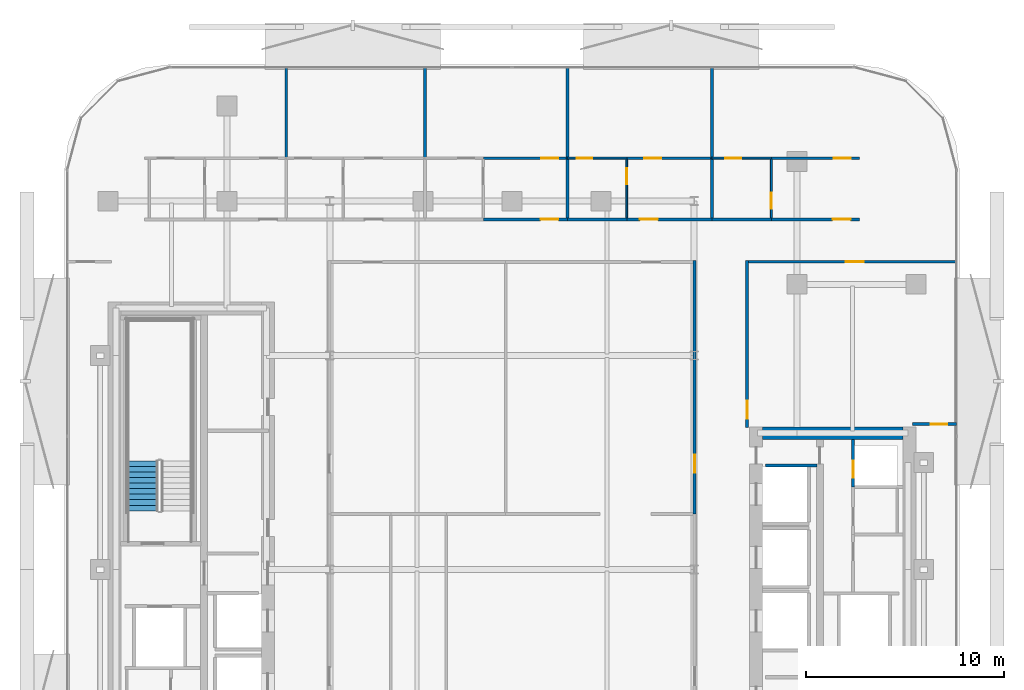
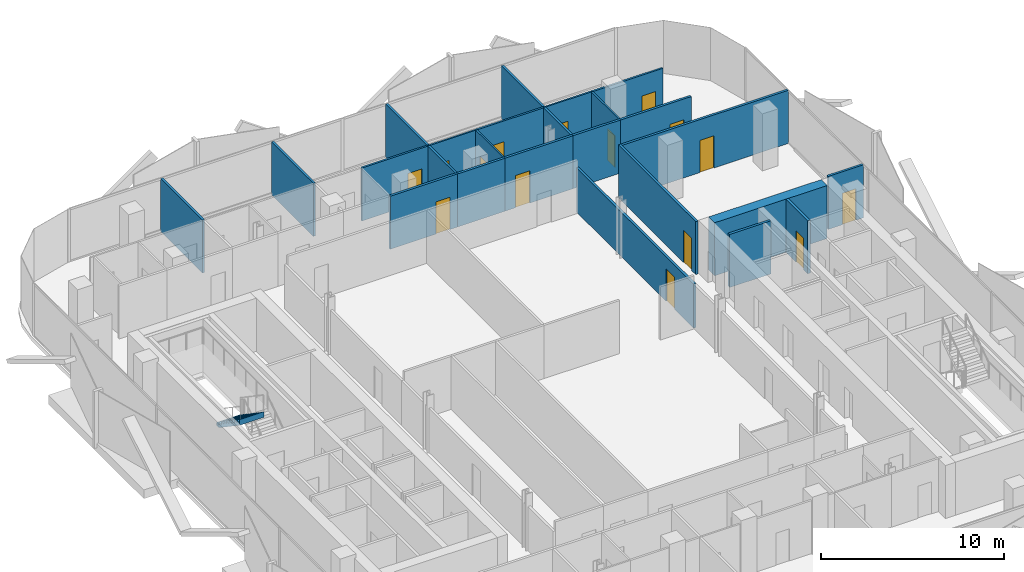
# One storey, part 7 of 17: 25 walls, 15 doors, 1 stair flight, 15 openings, 1 element without a shape of its own.
"""IFC4 building model written with IfcOpenShell, lengths in metres."""

from ifc_helpers import new_model, si_unit, direction, frame, frame_2d, origin, place, context, subcontext, project, spatial, polyline, rectangle, outline, extrude, material, layer, layer_set, type_object, element, fill, aggregate, save


model = new_model("IFC4")

# Units and contexts
model_context = context("Model", 3, precision=1e-05, world=origin(), true_north=direction((0.0, 1.0)))
body_context = subcontext(model_context, "Body", "Model", "MODEL_VIEW")
ifc_project = project(units=[si_unit("LENGTHUNIT", "METRE"), si_unit("AREAUNIT", "SQUARE_METRE"), si_unit("VOLUMEUNIT", "CUBIC_METRE"), si_unit("PLANEANGLEUNIT", "RADIAN"), si_unit("MASSUNIT", "GRAM", prefix="KILO")], contexts=[model_context])

# Site, building, storey
site_placement = place(None, origin())
site = spatial("IfcSite", under=ifc_project, at=site_placement, CompositionType="ELEMENT")
building_placement = place(site_placement, origin())
building = spatial("IfcBuilding", under=site, at=building_placement, Name="Khairoan Windgate Tower", CompositionType="ELEMENT")
storey_placement = place(building_placement, frame((0.0, 0.0, 195.39990234375)))
storey = spatial("IfcBuildingStorey", under=building, at=storey_placement, Name="L45", CompositionType="ELEMENT", Elevation=195.39990234375)

# Wall, opening, door
ifc_material_1 = material(Name="Moisture-Resistant Gypsum Partition", Category="gypsum")
ifc_layer_1 = layer(ifc_material_1, 0.10009765625, Name="Moisture-Resistant Gypsum Partition")
ifc_layer_set_1 = layer_set([ifc_layer_1], Name="Moisture-Resistant Gypsum Partition")
wall_type_1 = type_object("IfcWallType", Name="Bathroom Wet-Area Partition Wall", PredefinedType="PARTITIONING", material=ifc_layer_set_1)
wall_1_placement = place(storey_placement, frame((5.7958984375, 17.7548828125, 0.0), z_axis=(0.0, 0.0, 1.0), x_axis=(0.0, 1.0, 0.0)))
wall_1 = element("IfcWall", 1, at=wall_1_placement, inside=storey, type_object=wall_type_1, Name="L45 Interior Partition 070", PredefinedType="PARTITIONING", context=body_context, shape_type="SweptSolid", body=[
    extrude(rectangle(XDim=2.965087890625, YDim=0.10009765625, at=frame_2d((1.482421875, 0.0))), origin(), (0.0, 0.0, 1.0), 3.5400390625),
])
opening_1_placement = place(wall_1_placement, frame((1.705078125, 0.0, 0.0)))
opening_1 = element("IfcOpeningElement", 2, at=opening_1_placement, cuts=wall_1, Name="Opening ID-BTH", PredefinedType="OPENING", context=body_context, shape_type="SweptSolid", body=[
    extrude(rectangle(XDim=0.800048828125, YDim=2.10009765625, at=frame_2d((0.39990234375, 1.050048828125))), frame((0.0, 0.06005859375, 0.0), z_axis=(0.0, -1.0, 0.0), x_axis=(1.0, 0.0, 0.0)), (0.0, 0.0, 1.0), 0.1201171875),
])
ifc_material_2 = material(Name="Teak Veneer Timber Leaf", Category="wood")
door_type_1 = type_object("IfcDoorType", Name="Internal Bathroom Door ID-BTH 800x2100", OperationType="NOTDEFINED", PredefinedType="DOOR", material=ifc_material_2)
door_1_placement = place(opening_1_placement, origin())
door_1 = element("IfcDoor", 3, at=door_1_placement, inside=storey, type_object=door_type_1, Name="L45 L45-48-L45-49 Door", OperationType="SINGLE_SWING_RIGHT", OverallHeight=2.10009765625, OverallWidth=0.800048828125, PredefinedType="DOOR", context=body_context, shape_type="SweptSolid", body=[
    extrude(rectangle(XDim=0.800048828125, YDim=2.10009765625, at=frame_2d((0.39990234375, 1.050048828125))), frame((0.0, 0.02490234375, 0.0), z_axis=(0.0, -1.0, 0.0), x_axis=(1.0, 0.0, 0.0)), (0.0, 0.0, 1.0), 0.050048828125),
])
fill(opening_1, door_1)

wall_2_placement = place(storey_placement, frame((2.800048828125, 20.77001953125, 0.0), z_axis=(0.0, 0.0, 1.0), x_axis=(1.0, 0.0, 0.0)))
wall_2 = element("IfcWall", 4, at=wall_2_placement, inside=storey, type_object=wall_type_1, Name="L45 Interior Partition 071", PredefinedType="PARTITIONING", context=body_context, shape_type="SweptSolid", body=[
    extrude(rectangle(XDim=2.995849609375, YDim=0.10009765625, at=frame_2d((1.498046875, 0.0))), origin(), (0.0, 0.0, 1.0), 3.5400390625),
])
opening_2_placement = place(wall_2_placement, frame((0.4599609375, 0.0, 0.0)))
opening_2 = element("IfcOpeningElement", 5, at=opening_2_placement, cuts=wall_2, Name="Opening ID-BTH", PredefinedType="OPENING", context=body_context, shape_type="SweptSolid", body=[
    extrude(rectangle(XDim=0.800048828125, YDim=2.10009765625, at=frame_2d((0.39990234375, 1.050048828125))), frame((0.0, 0.06005859375, 0.0), z_axis=(0.0, -1.0, 0.0), x_axis=(1.0, 0.0, 0.0)), (0.0, 0.0, 1.0), 0.1201171875),
])
door_2_placement = place(opening_2_placement, origin())
door_2 = element("IfcDoor", 6, at=door_2_placement, inside=storey, type_object=door_type_1, Name="L45 L45-48-L45-50 Door", OperationType="SINGLE_SWING_LEFT", OverallHeight=2.10009765625, OverallWidth=0.800048828125, PredefinedType="DOOR", context=body_context, shape_type="SweptSolid", body=[
    extrude(rectangle(XDim=0.800048828125, YDim=2.10009765625, at=frame_2d((0.39990234375, 1.050048828125))), frame((0.0, 0.02490234375, 0.0), z_axis=(0.0, -1.0, 0.0), x_axis=(1.0, 0.0, 0.0)), (0.0, 0.0, 1.0), 0.050048828125),
])
fill(opening_2, door_2)

wall_3_placement = place(storey_placement, frame((13.095947265625, 17.7548828125, 0.0), z_axis=(0.0, 0.0, 1.0), x_axis=(0.0, 1.0, 0.0)))
wall_3 = element("IfcWall", 7, at=wall_3_placement, inside=storey, type_object=wall_type_1, Name="L45 Interior Partition 075", PredefinedType="PARTITIONING", context=body_context, shape_type="SweptSolid", body=[
    extrude(rectangle(XDim=2.965087890625, YDim=0.10009765625, at=frame_2d((1.482421875, 0.0))), origin(), (0.0, 0.0, 1.0), 3.5400390625),
])
opening_3_placement = place(wall_3_placement, frame((0.4599609375, 0.0, 0.0)))
opening_3 = element("IfcOpeningElement", 8, at=opening_3_placement, cuts=wall_3, Name="Opening ID-BTH", PredefinedType="OPENING", context=body_context, shape_type="SweptSolid", body=[
    extrude(rectangle(XDim=0.800048828125, YDim=2.10009765625, at=frame_2d((0.39990234375, 1.050048828125))), frame((0.0, 0.06005859375, 0.0), z_axis=(0.0, -1.0, 0.0), x_axis=(1.0, 0.0, 0.0)), (0.0, 0.0, 1.0), 0.1201171875),
])
door_3_placement = place(opening_3_placement, origin())
door_3 = element("IfcDoor", 9, at=door_3_placement, inside=storey, type_object=door_type_1, Name="L45 L45-51-L45-52 Door", OperationType="SINGLE_SWING_LEFT", OverallHeight=2.10009765625, OverallWidth=0.800048828125, PredefinedType="DOOR", context=body_context, shape_type="SweptSolid", body=[
    extrude(rectangle(XDim=0.800048828125, YDim=2.10009765625, at=frame_2d((0.39990234375, 1.050048828125))), frame((0.0, 0.02490234375, 0.0), z_axis=(0.0, -1.0, 0.0), x_axis=(1.0, 0.0, 0.0)), (0.0, 0.0, 1.0), 0.050048828125),
])
fill(opening_3, door_3)

wall_4_placement = place(storey_placement, frame((10.10009765625, 20.77001953125, 0.0), z_axis=(0.0, 0.0, 1.0), x_axis=(1.0, 0.0, 0.0)))
wall_4 = element("IfcWall", 10, at=wall_4_placement, inside=storey, type_object=wall_type_1, Name="L45 Interior Partition 076", PredefinedType="PARTITIONING", context=body_context, shape_type="SweptSolid", body=[
    extrude(rectangle(XDim=2.995849609375, YDim=0.10009765625, at=frame_2d((1.498046875, 0.0))), origin(), (0.0, 0.0, 1.0), 3.5400390625),
])
opening_4_placement = place(wall_4_placement, frame((0.672607421875, 0.0, 0.0)))
opening_4 = element("IfcOpeningElement", 11, at=opening_4_placement, cuts=wall_4, Name="Opening ID-BTH", PredefinedType="OPENING", context=body_context, shape_type="SweptSolid", body=[
    extrude(rectangle(XDim=0.800048828125, YDim=2.10009765625, at=frame_2d((0.39990234375, 1.050048828125))), frame((0.0, 0.06005859375, 0.0), z_axis=(0.0, -1.0, 0.0), x_axis=(1.0, 0.0, 0.0)), (0.0, 0.0, 1.0), 0.1201171875),
])
door_4_placement = place(opening_4_placement, origin())
door_4 = element("IfcDoor", 12, at=door_4_placement, inside=storey, type_object=door_type_1, Name="L45 L45-51-L45-53 Door", OperationType="SINGLE_SWING_RIGHT", OverallHeight=2.10009765625, OverallWidth=0.800048828125, PredefinedType="DOOR", context=body_context, shape_type="SweptSolid", body=[
    extrude(rectangle(XDim=0.800048828125, YDim=2.10009765625, at=frame_2d((0.39990234375, 1.050048828125))), frame((0.0, 0.02490234375, 0.0), z_axis=(0.0, -1.0, 0.0), x_axis=(1.0, 0.0, 0.0)), (0.0, 0.0, 1.0), 0.050048828125),
])
fill(opening_4, door_4)

# Walls
ifc_material_3 = material(Name="Concrete C40/50", Category="concrete")
ifc_layer_2 = layer(ifc_material_3, 0.159912109375, Name="Concrete C40/50")
ifc_layer_set_2 = layer_set([ifc_layer_2], Name="Concrete C40/50")
wall_type_2 = type_object("IfcWallType", Name="Core and Hoistway Enclosure Wall", PredefinedType="STANDARD", material=ifc_layer_set_2)
wall_5_placement = place(storey_placement, frame((12.800048828125, 5.25, 0.0), z_axis=(0.0, 0.0, 1.0), x_axis=(1.0, 0.0, 0.0)))
element("IfcWall", 13, at=wall_5_placement, inside=storey, type_object=wall_type_2, Name="L45 Core Shaft Wall SW-ESV-L45", PredefinedType="STANDARD", context=body_context, shape_type="SweptSolid", body=[
    extrude(rectangle(XDim=2.599853515625, YDim=0.159912109375, at=frame_2d((1.2998046875, 0.0))), origin(), (0.0, 0.0, 1.0), 3.5400390625),
])
ifc_material_4 = material(Name="Acoustic Fire-Rated Gypsum Partition", Category="gypsum")
ifc_layer_3 = layer(ifc_material_4, 0.139892578125, Name="Acoustic Fire-Rated Gypsum Partition")
ifc_layer_set_3 = layer_set([ifc_layer_3], Name="Acoustic Fire-Rated Gypsum Partition")
wall_type_3 = type_object("IfcWallType", Name="Inter-Tenancy Compartment Wall", PredefinedType="PARTITIONING", material=ifc_layer_set_3)
for number, where, z_axis, x_axis, name in (
    (14, (-11.39990234375, 20.77001953125, 0.0), (0.0, 0.0, 1.0), (0.0, 1.0, 0.0), "L45 Interior Partition 059"),
    (15, (-4.39990234375, 20.77001953125, 0.0), (0.0, 0.0, 1.0), (0.0, 1.0, 0.0), "L45 Interior Partition 064"),
):
    element("IfcWall", number, at=place(storey_placement, frame(where, z_axis=z_axis, x_axis=x_axis)), inside=storey, type_object=wall_type_3, Name=name, PredefinedType="PARTITIONING", context=body_context, shape_type="SweptSolid", body=[
        extrude(rectangle(XDim=4.5849609375, YDim=0.139892578125, at=frame_2d((2.29248046875, 0.0))), origin(), (0.0, 0.0, 1.0), 3.5400390625),
    ])
wall_6_placement = place(storey_placement, frame((2.800048828125, 17.7548828125, 0.0), z_axis=(0.0, 0.0, 1.0), x_axis=(0.0, 1.0, 0.0)))
element("IfcWall", 16, at=wall_6_placement, inside=storey, type_object=wall_type_3, Name="L45 Interior Partition 068", PredefinedType="PARTITIONING", context=body_context, shape_type="SweptSolid", body=[
    extrude(rectangle(XDim=3.01513671875, YDim=0.139892578125, at=frame_2d((1.507568359375, 0.0))), origin(), (0.0, 0.0, 1.0), 3.5400390625),
])
wall_7_placement = place(storey_placement, frame((2.800048828125, 20.77001953125, 0.0), z_axis=(0.0, 0.0, 1.0), x_axis=(0.0, 1.0, 0.0)))
element("IfcWall", 17, at=wall_7_placement, inside=storey, type_object=wall_type_3, Name="L45 Interior Partition 069", PredefinedType="PARTITIONING", context=body_context, shape_type="SweptSolid", body=[
    extrude(rectangle(XDim=4.5849609375, YDim=0.139892578125, at=frame_2d((2.29248046875, 0.0))), origin(), (0.0, 0.0, 1.0), 3.5400390625),
])
wall_8_placement = place(storey_placement, frame((10.10009765625, 17.7548828125, 0.0), z_axis=(0.0, 0.0, 1.0), x_axis=(0.0, 1.0, 0.0)))
element("IfcWall", 18, at=wall_8_placement, inside=storey, type_object=wall_type_3, Name="L45 Interior Partition 073", PredefinedType="PARTITIONING", context=body_context, shape_type="SweptSolid", body=[
    extrude(rectangle(XDim=3.01513671875, YDim=0.139892578125, at=frame_2d((1.507568359375, 0.0))), origin(), (0.0, 0.0, 1.0), 3.5400390625),
])
wall_9_placement = place(storey_placement, frame((10.10009765625, 20.77001953125, 0.0), z_axis=(0.0, 0.0, 1.0), x_axis=(0.0, 1.0, 0.0)))
element("IfcWall", 19, at=wall_9_placement, inside=storey, type_object=wall_type_3, Name="L45 Interior Partition 074", PredefinedType="PARTITIONING", context=body_context, shape_type="SweptSolid", body=[
    extrude(rectangle(XDim=4.5849609375, YDim=0.139892578125, at=frame_2d((2.29248046875, 0.0))), origin(), (0.0, 0.0, 1.0), 3.5400390625),
])

# Wall, opening, door
wall_10_placement = place(storey_placement, frame((20.239990234375, 7.340087890625, 0.0), z_axis=(0.0, 0.0, 1.0), x_axis=(1.0, 0.0, 0.0)))
wall_10 = element("IfcWall", 20, at=wall_10_placement, inside=storey, type_object=wall_type_3, Name="L45 Interior Partition 096", PredefinedType="PARTITIONING", context=body_context, shape_type="SweptSolid", body=[
    extrude(rectangle(XDim=2.215087890625, YDim=0.139892578125, at=frame_2d((1.107421875, 0.0))), origin(), (0.0, 0.0, 1.0), 3.5400390625),
])
opening_5_placement = place(wall_10_placement, frame((0.905029296875, 0.0, 0.0)))
opening_5 = element("IfcOpeningElement", 21, at=opening_5_placement, cuts=wall_10, Name="Opening FD-SRV", PredefinedType="OPENING", context=body_context, shape_type="SweptSolid", body=[
    extrude(rectangle(XDim=0.85009765625, YDim=2.10009765625, at=frame_2d((0.425048828125, 1.050048828125))), frame((0.0, 0.079833984375, 0.0), z_axis=(0.0, -1.0, 0.0), x_axis=(1.0, 0.0, 0.0)), (0.0, 0.0, 1.0), 0.159912109375),
])
ifc_material_5 = material(Name="Steel S355", Category="steel")
door_type_2 = type_object("IfcDoorType", Name="Core Service and Riser Fire Door FD-SRV 850x2100", OperationType="NOTDEFINED", PredefinedType="DOOR", material=ifc_material_5)
door_5_placement = place(opening_5_placement, origin())
door_5 = element("IfcDoor", 22, at=door_5_placement, inside=storey, type_object=door_type_2, Name="L45 L45-66-L45-68 Door", OperationType="SINGLE_SWING_RIGHT", OverallHeight=2.10009765625, OverallWidth=0.85009765625, PredefinedType="DOOR", context=body_context, shape_type="SweptSolid", body=[
    extrude(rectangle(XDim=0.85009765625, YDim=2.10009765625, at=frame_2d((0.425048828125, 1.050048828125))), frame((0.0, 0.02490234375, 0.0), z_axis=(0.0, -1.0, 0.0), x_axis=(1.0, 0.0, 0.0)), (0.0, 0.0, 1.0), 0.050048828125),
])
fill(opening_5, door_5)

ifc_material_6 = material(Name="Gypsum Stud Partition", Category="gypsum")
ifc_layer_4 = layer(ifc_material_6, 0.1201171875, Name="Gypsum Stud Partition")
ifc_layer_set_4 = layer_set([ifc_layer_4], Name="Gypsum Stud Partition")
wall_type_4 = type_object("IfcWallType", Name="Internal Room Partition Wall", PredefinedType="PARTITIONING", material=ifc_layer_set_4)
wall_11_placement = place(storey_placement, frame((-1.444091796875, 20.77001953125, 0.0), z_axis=(0.0, 0.0, 1.0), x_axis=(1.0, 0.0, 0.0)))
wall_11 = element("IfcWall", 23, at=wall_11_placement, inside=storey, type_object=wall_type_4, Name="L45 Interior Partition 067", PredefinedType="PARTITIONING", context=body_context, shape_type="SweptSolid", body=[
    extrude(rectangle(XDim=4.244140625, YDim=0.1201171875, at=frame_2d((2.1220703125, 0.0))), origin(), (0.0, 0.0, 1.0), 3.5400390625),
])
opening_6_placement = place(wall_11_placement, frame((2.924072265625, 0.0, 0.0)))
opening_6 = element("IfcOpeningElement", 24, at=opening_6_placement, cuts=wall_11, Name="Opening ID-RM", PredefinedType="OPENING", context=body_context, shape_type="SweptSolid", body=[
    extrude(rectangle(XDim=0.860107421875, YDim=2.14990234375, at=frame_2d((0.43017578125, 1.074951171875))), frame((0.0, 0.070068359375, 0.0), z_axis=(0.0, -1.0, 0.0), x_axis=(1.0, 0.0, 0.0)), (0.0, 0.0, 1.0), 0.14013671875),
])
ifc_material_7 = material(Name="Teak Veneer Timber Leaf", Category="wood")
door_type_3 = type_object("IfcDoorType", Name="Internal Bedroom and Office Door ID-RM 860x2150", OperationType="NOTDEFINED", PredefinedType="DOOR", material=ifc_material_7)
door_6_placement = place(opening_6_placement, origin())
door_6 = element("IfcDoor", 25, at=door_6_placement, inside=storey, type_object=door_type_3, Name="L45 L45-46-L45-47 Door", OperationType="SINGLE_SWING_LEFT", OverallHeight=2.14990234375, OverallWidth=0.860107421875, PredefinedType="DOOR", context=body_context, shape_type="SweptSolid", body=[
    extrude(rectangle(XDim=0.860107421875, YDim=2.14990234375, at=frame_2d((0.43017578125, 1.074951171875))), frame((0.0, 0.02490234375, 0.0), z_axis=(0.0, -1.0, 0.0), x_axis=(1.0, 0.0, 0.0)), (0.0, 0.0, 1.0), 0.050048828125),
])
fill(opening_6, door_6)

wall_12_placement = place(storey_placement, frame((5.7958984375, 20.77001953125, 0.0), z_axis=(0.0, 0.0, 1.0), x_axis=(1.0, 0.0, 0.0)))
wall_12 = element("IfcWall", 26, at=wall_12_placement, inside=storey, type_object=wall_type_4, Name="L45 Interior Partition 072", PredefinedType="PARTITIONING", context=body_context, shape_type="SweptSolid", body=[
    extrude(rectangle(XDim=4.30419921875, YDim=0.1201171875, at=frame_2d((2.152099609375, 0.0))), origin(), (0.0, 0.0, 1.0), 3.5400390625),
])
opening_7_placement = place(wall_12_placement, frame((0.880615234375, 0.0, 0.0)))
opening_7 = element("IfcOpeningElement", 27, at=opening_7_placement, cuts=wall_12, Name="Opening ID-RM", PredefinedType="OPENING", context=body_context, shape_type="SweptSolid", body=[
    extrude(rectangle(XDim=0.860107421875, YDim=2.14990234375, at=frame_2d((0.43017578125, 1.074951171875))), frame((0.0, 0.070068359375, 0.0), z_axis=(0.0, -1.0, 0.0), x_axis=(1.0, 0.0, 0.0)), (0.0, 0.0, 1.0), 0.14013671875),
])
door_7_placement = place(opening_7_placement, origin())
door_7 = element("IfcDoor", 28, at=door_7_placement, inside=storey, type_object=door_type_3, Name="L45 L45-49-L45-50 Door", OperationType="SINGLE_SWING_RIGHT", OverallHeight=2.14990234375, OverallWidth=0.860107421875, PredefinedType="DOOR", context=body_context, shape_type="SweptSolid", body=[
    extrude(rectangle(XDim=0.860107421875, YDim=2.14990234375, at=frame_2d((0.43017578125, 1.074951171875))), frame((0.0, 0.02490234375, 0.0), z_axis=(0.0, -1.0, 0.0), x_axis=(1.0, 0.0, 0.0)), (0.0, 0.0, 1.0), 0.050048828125),
])
fill(opening_7, door_7)

wall_13_placement = place(storey_placement, frame((13.095947265625, 20.77001953125, 0.0), z_axis=(0.0, 0.0, 1.0), x_axis=(1.0, 0.0, 0.0)))
wall_13 = element("IfcWall", 29, at=wall_13_placement, inside=storey, type_object=wall_type_4, Name="L45 Interior Partition 077", PredefinedType="PARTITIONING", context=body_context, shape_type="SweptSolid", body=[
    extrude(rectangle(XDim=4.464111328125, YDim=0.1201171875, at=frame_2d((2.23193359375, 0.0))), origin(), (0.0, 0.0, 1.0), 3.5400390625),
])
opening_8_placement = place(wall_13_placement, frame((3.14404296875, 0.0, 0.0)))
opening_8 = element("IfcOpeningElement", 30, at=opening_8_placement, cuts=wall_13, Name="Opening ID-RM", PredefinedType="OPENING", context=body_context, shape_type="SweptSolid", body=[
    extrude(rectangle(XDim=0.860107421875, YDim=2.14990234375, at=frame_2d((0.43017578125, 1.074951171875))), frame((0.0, 0.070068359375, 0.0), z_axis=(0.0, -1.0, 0.0), x_axis=(1.0, 0.0, 0.0)), (0.0, 0.0, 1.0), 0.14013671875),
])
door_8_placement = place(opening_8_placement, origin())
door_8 = element("IfcDoor", 31, at=door_8_placement, inside=storey, type_object=door_type_3, Name="L45 L45-52-L45-53 Door", OperationType="SINGLE_SWING_LEFT", OverallHeight=2.14990234375, OverallWidth=0.860107421875, PredefinedType="DOOR", context=body_context, shape_type="SweptSolid", body=[
    extrude(rectangle(XDim=0.860107421875, YDim=2.14990234375, at=frame_2d((0.43017578125, 1.074951171875))), frame((0.0, 0.02490234375, 0.0), z_axis=(0.0, -1.0, 0.0), x_axis=(1.0, 0.0, 0.0)), (0.0, 0.0, 1.0), 0.050048828125),
])
fill(opening_8, door_8)

ifc_material_8 = material(Name="Concrete C40/50", Category="concrete")
ifc_layer_5 = layer(ifc_material_8, 0.159912109375, Name="Concrete C40/50")
ifc_layer_set_5 = layer_set([ifc_layer_5], Name="Concrete C40/50")
wall_type_5 = type_object("IfcWallType", Name="Plant and Refuge Compartment Wall", PredefinedType="PARTITIONING", material=ifc_layer_set_5)
wall_14_placement = place(storey_placement, frame((17.22998046875, 4.169921875, 0.0), z_axis=(0.0, 0.0, 1.0), x_axis=(0.0, 1.0, 0.0)))
wall_14 = element("IfcWall", 32, at=wall_14_placement, inside=storey, type_object=wall_type_5, Name="L45 Interior Partition 007", PredefinedType="PARTITIONING", context=body_context, shape_type="SweptSolid", body=[
    extrude(rectangle(XDim=2.380126953125, YDim=0.159912109375, at=frame_2d((1.18994140625, 0.0))), origin(), (0.0, 0.0, 1.0), 3.5400390625),
])
opening_9_placement = place(wall_14_placement, frame((0.4599609375, 0.0, 0.0)))
opening_9 = element("IfcOpeningElement", 33, at=opening_9_placement, cuts=wall_14, Name="Opening FD-SRV", PredefinedType="OPENING", context=body_context, shape_type="SweptSolid", body=[
    extrude(rectangle(XDim=0.85009765625, YDim=2.10009765625, at=frame_2d((0.425048828125, 1.050048828125))), frame((0.0, 0.08984375, 0.0), z_axis=(0.0, -1.0, 0.0), x_axis=(1.0, 0.0, 0.0)), (0.0, 0.0, 1.0), 0.179931640625),
])
door_9_placement = place(opening_9_placement, origin())
door_9 = element("IfcDoor", 34, at=door_9_placement, inside=storey, type_object=door_type_2, Name="L45 L45-18-L45-19 Door", OperationType="SINGLE_SWING_RIGHT", OverallHeight=2.10009765625, OverallWidth=0.85009765625, PredefinedType="DOOR", context=body_context, shape_type="SweptSolid", body=[
    extrude(rectangle(XDim=0.85009765625, YDim=2.10009765625, at=frame_2d((0.425048828125, 1.050048828125))), frame((0.0, 0.02490234375, 0.0), z_axis=(0.0, -1.0, 0.0), x_axis=(1.0, 0.0, 0.0)), (0.0, 0.0, 1.0), 0.050048828125),
])
fill(opening_9, door_9)

ifc_material_9 = material(Name="Acoustic Fire-Rated Gypsum Partition", Category="gypsum")
ifc_layer_6 = layer(ifc_material_9, 0.14990234375, Name="Acoustic Fire-Rated Gypsum Partition")
ifc_layer_set_6 = layer_set([ifc_layer_6], Name="Acoustic Fire-Rated Gypsum Partition")
wall_type_6 = type_object("IfcWallType", Name="Rated Corridor Partition Wall", PredefinedType="PARTITIONING", material=ifc_layer_set_6)
wall_15_placement = place(storey_placement, frame((9.219970703125, 2.800048828125, 0.0), z_axis=(0.0, 0.0, 1.0), x_axis=(0.0, 1.0, 0.0)))
wall_15 = element("IfcWall", 35, at=wall_15_placement, inside=storey, type_object=wall_type_6, Name="L45 Interior Partition 015", PredefinedType="PARTITIONING", context=body_context, shape_type="SweptSolid", body=[
    extrude(rectangle(XDim=12.794921875, YDim=0.14990234375, at=frame_2d((6.3974609375, 0.0))), origin(), (0.0, 0.0, 1.0), 2.9521484375),
])
opening_10_placement = place(wall_15_placement, frame((2.0859375, 0.0, 0.0)))
opening_10 = element("IfcOpeningElement", 36, at=opening_10_placement, cuts=wall_15, Name="Opening FD-ENT", PredefinedType="OPENING", context=body_context, shape_type="SweptSolid", body=[
    extrude(rectangle(XDim=0.89990234375, YDim=2.14990234375, at=frame_2d((0.449951171875, 1.074951171875))), frame((0.0, 0.0849609375, 0.0), z_axis=(0.0, -1.0, 0.0), x_axis=(1.0, 0.0, 0.0)), (0.0, 0.0, 1.0), 0.169921875),
])
ifc_material_10 = material(Name="Timber Fire-Rated Core", Category="wood")
door_type_4 = type_object("IfcDoorType", Name="Unit and Office Fire Entrance Door FD-ENT 900x2150", OperationType="NOTDEFINED", PredefinedType="DOOR", material=ifc_material_10)
door_10_placement = place(opening_10_placement, origin())
door_10 = element("IfcDoor", 37, at=door_10_placement, inside=storey, type_object=door_type_4, Name="L45 L45-29-L45-38 Door", OperationType="SINGLE_SWING_RIGHT", OverallHeight=2.14990234375, OverallWidth=0.89990234375, PredefinedType="DOOR", context=body_context, shape_type="SweptSolid", body=[
    extrude(rectangle(XDim=0.89990234375, YDim=2.14990234375, at=frame_2d((0.449951171875, 1.074951171875))), frame((0.0, 0.02490234375, 0.0), z_axis=(0.0, -1.0, 0.0), x_axis=(1.0, 0.0, 0.0)), (0.0, 0.0, 1.0), 0.050048828125),
])
fill(opening_10, door_10)

wall_16_placement = place(storey_placement, frame((11.8798828125, 7.159912109375, 0.0), z_axis=(0.0, 0.0, 1.0), x_axis=(0.0, 1.0, 0.0)))
wall_16 = element("IfcWall", 38, at=wall_16_placement, inside=storey, type_object=wall_type_6, Name="L45 Interior Partition 016", PredefinedType="PARTITIONING", context=body_context, shape_type="SweptSolid", body=[
    extrude(rectangle(XDim=8.455078125, YDim=0.14990234375, at=frame_2d((4.2275390625, 0.0))), origin(), (0.0, 0.0, 1.0), 3.5400390625),
])
opening_11_placement = place(wall_16_placement, frame((0.4599609375, 0.0, 0.0)))
opening_11 = element("IfcOpeningElement", 39, at=opening_11_placement, cuts=wall_16, Name="Opening FD-ENT", PredefinedType="OPENING", context=body_context, shape_type="SweptSolid", body=[
    extrude(rectangle(XDim=0.89990234375, YDim=2.14990234375, at=frame_2d((0.449951171875, 1.074951171875))), frame((0.0, 0.0849609375, 0.0), z_axis=(0.0, -1.0, 0.0), x_axis=(1.0, 0.0, 0.0)), (0.0, 0.0, 1.0), 0.169921875),
])
door_11_placement = place(opening_11_placement, origin())
door_11 = element("IfcDoor", 40, at=door_11_placement, inside=storey, type_object=door_type_4, Name="L45 L45-29-L45-66 Door", OperationType="SINGLE_SWING_LEFT", OverallHeight=2.14990234375, OverallWidth=0.89990234375, PredefinedType="DOOR", context=body_context, shape_type="SweptSolid", body=[
    extrude(rectangle(XDim=0.89990234375, YDim=2.14990234375, at=frame_2d((0.449951171875, 1.074951171875))), frame((0.0, 0.02490234375, 0.0), z_axis=(0.0, -1.0, 0.0), x_axis=(1.0, 0.0, 0.0)), (0.0, 0.0, 1.0), 0.050048828125),
])
fill(opening_11, door_11)

wall_17_placement = place(storey_placement, frame((-1.444091796875, 17.679931640625, 0.0), z_axis=(0.0, 0.0, 1.0), x_axis=(1.0, 0.0, 0.0)))
wall_17 = element("IfcWall", 41, at=wall_17_placement, inside=storey, type_object=wall_type_6, Name="L45 Interior Partition 024", PredefinedType="PARTITIONING", context=body_context, shape_type="SweptSolid", body=[
    extrude(rectangle(XDim=4.244140625, YDim=0.14990234375, at=frame_2d((2.1220703125, 0.0))), origin(), (0.0, 0.0, 1.0), 3.5400390625),
])
opening_12_placement = place(wall_17_placement, frame((2.884033203125, 0.0, 0.0)))
opening_12 = element("IfcOpeningElement", 42, at=opening_12_placement, cuts=wall_17, Name="Opening FD-ENT", PredefinedType="OPENING", context=body_context, shape_type="SweptSolid", body=[
    extrude(rectangle(XDim=0.89990234375, YDim=2.14990234375, at=frame_2d((0.449951171875, 1.074951171875))), frame((0.0, 0.0849609375, 0.0), z_axis=(0.0, -1.0, 0.0), x_axis=(1.0, 0.0, 0.0)), (0.0, 0.0, 1.0), 0.169921875),
])
door_12_placement = place(opening_12_placement, origin())
door_12 = element("IfcDoor", 43, at=door_12_placement, inside=storey, type_object=door_type_4, Name="L45 L45-30-L45-46 Door", OperationType="SINGLE_SWING_RIGHT", OverallHeight=2.14990234375, OverallWidth=0.89990234375, PredefinedType="DOOR", context=body_context, shape_type="SweptSolid", body=[
    extrude(rectangle(XDim=0.89990234375, YDim=2.14990234375, at=frame_2d((0.449951171875, 1.074951171875))), frame((0.0, 0.02490234375, 0.0), z_axis=(0.0, -1.0, 0.0), x_axis=(1.0, 0.0, 0.0)), (0.0, 0.0, 1.0), 0.050048828125),
])
fill(opening_12, door_12)

# Wall
wall_18_placement = place(storey_placement, frame((2.800048828125, 17.679931640625, 0.0), z_axis=(0.0, 0.0, 1.0), x_axis=(1.0, 0.0, 0.0)))
element("IfcWall", 44, at=wall_18_placement, inside=storey, type_object=wall_type_6, Name="L45 Interior Partition 025", PredefinedType="PARTITIONING", context=body_context, shape_type="SweptSolid", body=[
    extrude(rectangle(XDim=2.995849609375, YDim=0.14990234375, at=frame_2d((1.498046875, 0.0))), origin(), (0.0, 0.0, 1.0), 3.5400390625),
])

# Wall, opening, door
wall_19_placement = place(storey_placement, frame((5.7958984375, 17.679931640625, 0.0), z_axis=(0.0, 0.0, 1.0), x_axis=(1.0, 0.0, 0.0)))
wall_19 = element("IfcWall", 45, at=wall_19_placement, inside=storey, type_object=wall_type_6, Name="L45 Interior Partition 026", PredefinedType="PARTITIONING", context=body_context, shape_type="SweptSolid", body=[
    extrude(rectangle(XDim=4.30419921875, YDim=0.14990234375, at=frame_2d((2.152099609375, 0.0))), origin(), (0.0, 0.0, 1.0), 3.5400390625),
])
opening_13_placement = place(wall_19_placement, frame((0.6669921875, 0.0, 0.0)))
opening_13 = element("IfcOpeningElement", 46, at=opening_13_placement, cuts=wall_19, Name="Opening FD-ENT", PredefinedType="OPENING", context=body_context, shape_type="SweptSolid", body=[
    extrude(rectangle(XDim=0.89990234375, YDim=2.14990234375, at=frame_2d((0.449951171875, 1.074951171875))), frame((0.0, 0.0849609375, 0.0), z_axis=(0.0, -1.0, 0.0), x_axis=(1.0, 0.0, 0.0)), (0.0, 0.0, 1.0), 0.169921875),
])
door_13_placement = place(opening_13_placement, origin())
door_13 = element("IfcDoor", 47, at=door_13_placement, inside=storey, type_object=door_type_4, Name="L45 L45-30-L45-49 Door", OperationType="SINGLE_SWING_LEFT", OverallHeight=2.14990234375, OverallWidth=0.89990234375, PredefinedType="DOOR", context=body_context, shape_type="SweptSolid", body=[
    extrude(rectangle(XDim=0.89990234375, YDim=2.14990234375, at=frame_2d((0.449951171875, 1.074951171875))), frame((0.0, 0.02490234375, 0.0), z_axis=(0.0, -1.0, 0.0), x_axis=(1.0, 0.0, 0.0)), (0.0, 0.0, 1.0), 0.050048828125),
])
fill(opening_13, door_13)

# Wall
wall_20_placement = place(storey_placement, frame((10.10009765625, 17.679931640625, 0.0), z_axis=(0.0, 0.0, 1.0), x_axis=(1.0, 0.0, 0.0)))
element("IfcWall", 48, at=wall_20_placement, inside=storey, type_object=wall_type_6, Name="L45 Interior Partition 027", PredefinedType="PARTITIONING", context=body_context, shape_type="SweptSolid", body=[
    extrude(rectangle(XDim=2.995849609375, YDim=0.14990234375, at=frame_2d((1.498046875, 0.0))), origin(), (0.0, 0.0, 1.0), 3.5400390625),
])

# Wall, opening, door
wall_21_placement = place(storey_placement, frame((13.095947265625, 17.679931640625, 0.0), z_axis=(0.0, 0.0, 1.0), x_axis=(1.0, 0.0, 0.0)))
wall_21 = element("IfcWall", 49, at=wall_21_placement, inside=storey, type_object=wall_type_6, Name="L45 Interior Partition 028", PredefinedType="PARTITIONING", context=body_context, shape_type="SweptSolid", body=[
    extrude(rectangle(XDim=4.464111328125, YDim=0.14990234375, at=frame_2d((2.23193359375, 0.0))), origin(), (0.0, 0.0, 1.0), 3.5400390625),
])
opening_14_placement = place(wall_21_placement, frame((3.10400390625, 0.0, 0.0)))
opening_14 = element("IfcOpeningElement", 50, at=opening_14_placement, cuts=wall_21, Name="Opening FD-ENT", PredefinedType="OPENING", context=body_context, shape_type="SweptSolid", body=[
    extrude(rectangle(XDim=0.89990234375, YDim=2.14990234375, at=frame_2d((0.449951171875, 1.074951171875))), frame((0.0, 0.0849609375, 0.0), z_axis=(0.0, -1.0, 0.0), x_axis=(1.0, 0.0, 0.0)), (0.0, 0.0, 1.0), 0.169921875),
])
door_14_placement = place(opening_14_placement, origin())
door_14 = element("IfcDoor", 51, at=door_14_placement, inside=storey, type_object=door_type_4, Name="L45 L45-30-L45-52 Door", OperationType="SINGLE_SWING_RIGHT", OverallHeight=2.14990234375, OverallWidth=0.89990234375, PredefinedType="DOOR", context=body_context, shape_type="SweptSolid", body=[
    extrude(rectangle(XDim=0.89990234375, YDim=2.14990234375, at=frame_2d((0.449951171875, 1.074951171875))), frame((0.0, 0.02490234375, 0.0), z_axis=(0.0, -1.0, 0.0), x_axis=(1.0, 0.0, 0.0)), (0.0, 0.0, 1.0), 0.050048828125),
])
fill(opening_14, door_14)

wall_22_placement = place(storey_placement, frame((11.955078125, 15.5400390625, 0.0), z_axis=(0.0, 0.0, 1.0), x_axis=(1.0, 0.0, 0.0)))
wall_22 = element("IfcWall", 52, at=wall_22_placement, inside=storey, type_object=wall_type_6, Name="L45 Interior Partition 029", PredefinedType="PARTITIONING", context=body_context, shape_type="SweptSolid", body=[
    extrude(rectangle(XDim=10.5, YDim=0.14990234375, at=frame_2d((5.25, 0.0))), origin(), (0.0, 0.0, 1.0), 3.5400390625),
])
opening_15_placement = place(wall_22_placement, frame((4.90087890625, 0.0, 0.0)))
opening_15 = element("IfcOpeningElement", 53, at=opening_15_placement, cuts=wall_22, Name="Opening FD-ENT", PredefinedType="OPENING", context=body_context, shape_type="SweptSolid", body=[
    extrude(rectangle(XDim=0.89990234375, YDim=2.14990234375, at=frame_2d((0.449951171875, 1.074951171875))), frame((0.0, 0.0849609375, 0.0), z_axis=(0.0, -1.0, 0.0), x_axis=(1.0, 0.0, 0.0)), (0.0, 0.0, 1.0), 0.169921875),
])
door_15_placement = place(opening_15_placement, origin())
door_15 = element("IfcDoor", 54, at=door_15_placement, inside=storey, type_object=door_type_4, Name="L45 L45-30-L45-66 Door", OperationType="SINGLE_SWING_LEFT", OverallHeight=2.14990234375, OverallWidth=0.89990234375, PredefinedType="DOOR", context=body_context, shape_type="SweptSolid", body=[
    extrude(rectangle(XDim=0.89990234375, YDim=2.14990234375, at=frame_2d((0.449951171875, 1.074951171875))), frame((0.0, 0.02490234375, 0.0), z_axis=(0.0, -1.0, 0.0), x_axis=(1.0, 0.0, 0.0)), (0.0, 0.0, 1.0), 0.050048828125),
])
fill(opening_15, door_15)

# Wall
ifc_material_11 = material(Name="Concrete C60/75", Category="concrete")
ifc_layer_7 = layer(ifc_material_11, 0.64990234375, Name="Concrete C60/75")
ifc_layer_set_7 = layer_set([ifc_layer_7], Name="Concrete C60/75")
wall_type_7 = type_object("IfcWallType", Name="Shear Wall CW-E2 650mm", PredefinedType="SHEAR", material=ifc_layer_set_7)
wall_23_placement = place(storey_placement, frame((12.64990234375, 6.875, 0.0), z_axis=(0.0, 0.0, 1.0), x_axis=(1.0, 0.0, 0.0)))
element("IfcWall", 55, at=wall_23_placement, inside=storey, type_object=wall_type_7, Name="E Core North Shear Wall L45", PredefinedType="SHEAR", context=body_context, shape_type="SweptSolid", body=[
    extrude(rectangle(XDim=7.10009765625, YDim=0.64990234375, at=frame_2d((3.550048828125, 0.0))), origin(), (0.0, 0.0, 1.0), 3.5400390625),
])

# Stair, stair flight
ifc_material_12 = material(Name="Concrete C40/50", Category="concrete")
stair_type = type_object("IfcStairType", Name="Tower Core Dog-Leg Stair ST-T1 1560mm", PredefinedType="HALF_TURN_STAIR", material=ifc_material_12)
stair_placement = place(storey_placement, origin())
stair = element("IfcStair", 56, at=stair_placement, inside=storey, type_object=stair_type, Name="L45 Stair ST2", PredefinedType="HALF_TURN_STAIR")
ifc_material_13 = material(Name="Concrete C40/50", Category="concrete")
ifc_layer_8 = layer(ifc_material_13, 0.14990234375, Name="Concrete C40/50")
ifc_layer_set_8 = layer_set([ifc_layer_8], Name="Concrete C40/50")
stair_flight_type = type_object("IfcStairFlightType", Name="Tower Core Stair Flight STF-1560", PredefinedType="STRAIGHT", material=ifc_layer_set_8)
stair_flight_placement = place(storey_placement, frame((-18.639892578125, 5.47998046875, 1.900146484375), z_axis=(0.0, 0.0, 1.0), x_axis=(0.0, -1.0, 0.0)))
stair_flight = element("IfcStairFlight", 57, at=stair_flight_placement, type_object=stair_flight_type, Name="ST2 flight 2", NumberOfRisers=10, NumberOfTreads=9, PredefinedType="STRAIGHT", RiserHeight=0.19, TreadLength=0.28, context=body_context, shape_type="SweptSolid", body=[
    extrude(outline(polyline([(-0.00390625, 0.0), (-0.00390625, 0.18994140625), (0.0, 0.18994140625), (0.280029296875, 0.18994140625), (0.280029296875, 0.3798828125), (0.56005859375, 0.3798828125), (0.56005859375, 0.570068359375), (0.840087890625, 0.570068359375), (0.840087890625, 0.760009765625), (1.1201171875, 0.760009765625), (1.1201171875, 0.949951171875), (1.39990234375, 0.949951171875), (1.39990234375, 1.139892578125), (1.679931640625, 1.139892578125), (1.679931640625, 1.330078125), (1.9599609375, 1.330078125), (1.9599609375, 1.52001953125), (2.239990234375, 1.52001953125), (2.239990234375, 1.7099609375), (2.52001953125, 1.7099609375), (2.52001953125, 1.89990234375), (2.52392578125, 1.89990234375), (2.52392578125, 1.52880859375), (0.266845703125, 0.0), (-0.00390625, 0.0)])), frame((0.0, 0.780029296875, 0.0), z_axis=(0.0, -1.0, 0.0), x_axis=(1.0, 0.0, 0.0)), (0.0, 0.0, 1.0), 1.56005859375),
])
aggregate(stair, [stair_flight])

save(model, "model.ifc")
